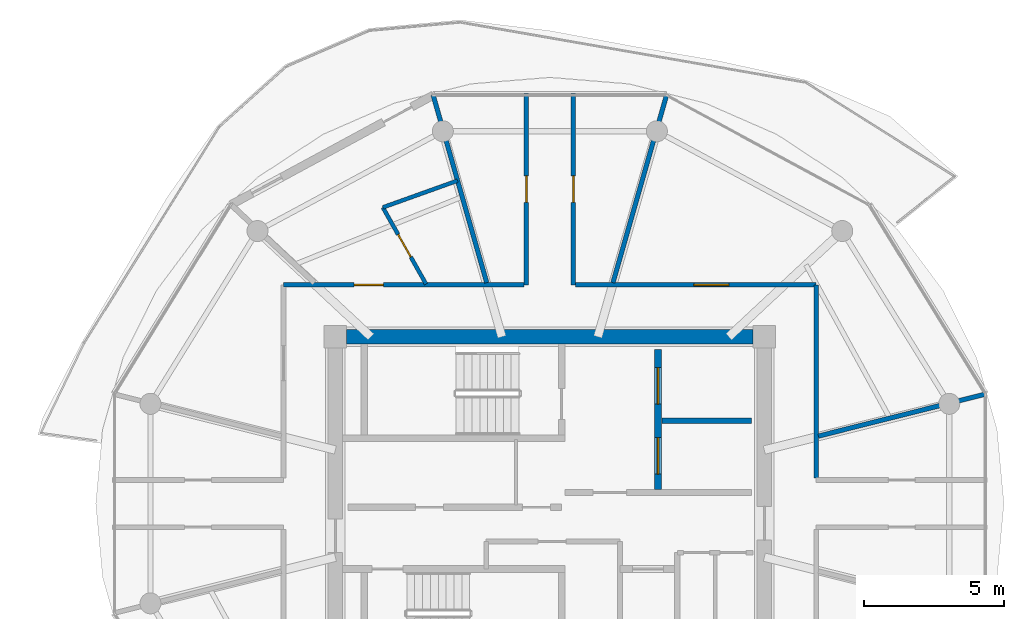
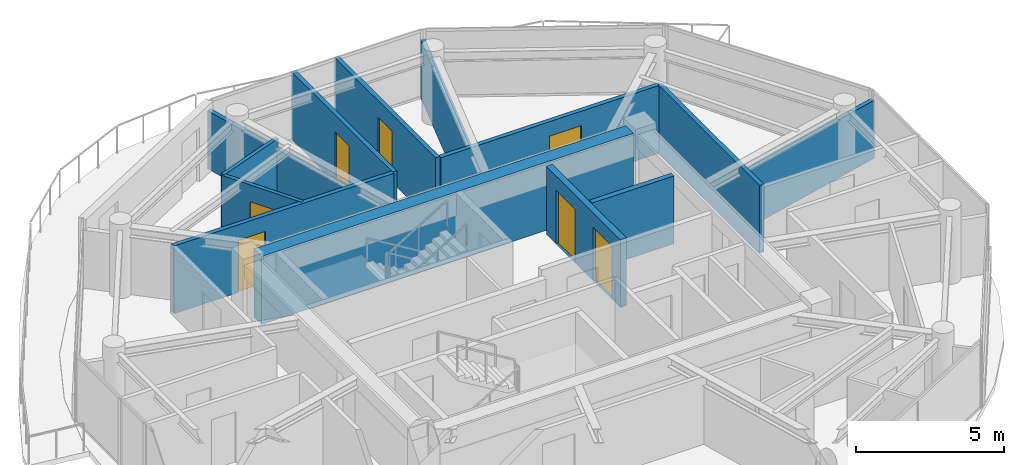
# One storey, part 13 of 19: 13 walls, 7 doors, 7 openings.
"""IFC4 building model written with IfcOpenShell, lengths in metres."""

from ifc_helpers import new_model, si_unit, direction, frame, frame_2d, origin, place, context, subcontext, project, spatial, rectangle, extrude, source, transform, mapped, material, layer, layer_set, type_object, type_shapes, element, fill, save


model = new_model("IFC4")

# Units and contexts
model_context = context("Model", 3, precision=1e-05, world=origin(), true_north=direction((0.0, 1.0)))
body_context = subcontext(model_context, "Body", "Model", "MODEL_VIEW")
ifc_project = project(units=[si_unit("LENGTHUNIT", "METRE"), si_unit("AREAUNIT", "SQUARE_METRE"), si_unit("VOLUMEUNIT", "CUBIC_METRE"), si_unit("PLANEANGLEUNIT", "RADIAN"), si_unit("MASSUNIT", "GRAM", prefix="KILO")], contexts=[model_context])

# Site, building, storey
site_placement = place(None, origin())
site = spatial("IfcSite", under=ifc_project, at=site_placement, CompositionType="ELEMENT")
building_placement = place(site_placement, origin())
building = spatial("IfcBuilding", under=site, at=building_placement, Name="Norrkilde Senior Care Towers", CompositionType="ELEMENT")
storey_placement = place(building_placement, frame((0.0, 0.0, 238.300048828125)))
storey = spatial("IfcBuildingStorey", under=building, at=storey_placement, Name="L74", CompositionType="ELEMENT", Elevation=238.300048828125)

# Wall
ifc_material_1 = material(Name="Concrete C50/60", Category="concrete")
ifc_layer_1 = layer(ifc_material_1, 0.52001953125)
ifc_layer_set_1 = layer_set([ifc_layer_1], Name="Concrete C50/60")
wall_type_1 = type_object("IfcWallType", Name="Core Shear Wall Z4 520", PredefinedType="SHEAR", material=ifc_layer_set_1)
shared_shape_1 = source(origin(), body_context, "Body", "SweptSolid", [
    extrude(rectangle(XDim=14.5, YDim=0.52001953125, at=frame_2d((7.25, 0.0))), origin(), (0.0, 0.0, 1.0), 2.81005859375),
])
type_shapes(wall_type_1, [shared_shape_1])
wall_1_placement = place(storey_placement, frame((20.75, 5.949951171875, 0.0), z_axis=(0.0, 0.0, 1.0), x_axis=(1.0, 0.0, 0.0)))
element("IfcWall", 1, at=wall_1_placement, inside=storey, type_object=wall_type_1, Name="L74 Core E North Shear Wall", PredefinedType="SHEAR", context=body_context, shape_type="MappedRepresentation", body=[
    mapped(shared_shape_1, transform((0.0, 0.0, 0.0), x_axis=(1.0, 0.0, 0.0), y_axis=(0.0, 1.0, 0.0), z_axis=(0.0, 0.0, 1.0), scale=1.0)),
])

# Wall, openings, doors
ifc_material_2 = material(Name="Concrete C45/55", Category="concrete")
ifc_layer_2 = layer(ifc_material_2, 0.239990234375)
ifc_layer_set_2 = layer_set([ifc_layer_2], Name="Concrete C45/55")
wall_type_2 = type_object("IfcWallType", Name="Lift and Plant Rated Enclosure Partition 240", PredefinedType="PARTITIONING", material=ifc_layer_set_2)
shared_shape_2 = source(origin(), body_context, "Body", "SweptSolid", [
    extrude(rectangle(XDim=5.0, YDim=0.239990234375, at=frame_2d((2.5, 0.0))), origin(), (0.0, 0.0, 1.0), 2.794921875),
])
type_shapes(wall_type_2, [shared_shape_2])
wall_2_placement = place(storey_placement, frame((31.860107421875, 0.5, 0.0), z_axis=(0.0, 0.0, 1.0), x_axis=(0.0, 1.0, 0.0)))
wall_2 = element("IfcWall", 2, at=wall_2_placement, inside=storey, type_object=wall_type_2, Name="WL-INT-L74-E-FFLE", PredefinedType="PARTITIONING", context=body_context, shape_type="MappedRepresentation", body=[
    mapped(shared_shape_2, transform((0.0, 0.0, 0.0), x_axis=(1.0, 0.0, 0.0), y_axis=(0.0, 1.0, 0.0), z_axis=(0.0, 0.0, 1.0), scale=1.0)),
])
opening_1_placement = place(wall_2_placement, frame((3.050048828125, 0.0, 0.0)))
opening_1 = element("IfcOpeningElement", 3, at=opening_1_placement, cuts=wall_2, Name="Opening LD-02", PredefinedType="OPENING", context=body_context, shape_type="SweptSolid", body=[
    extrude(rectangle(XDim=1.300048828125, YDim=2.199951171875, at=frame_2d((0.64990234375, 1.10009765625))), frame((0.0, 0.1298828125, 0.0), z_axis=(0.0, -1.0, 0.0), x_axis=(1.0, 0.0, 0.0)), (0.0, 0.0, 1.0), 0.260009765625),
])
opening_2_placement = place(wall_2_placement, frame((0.550048828125, 0.0, 0.0)))
opening_2 = element("IfcOpeningElement", 4, at=opening_2_placement, cuts=wall_2, Name="Opening LD-02", PredefinedType="OPENING", context=body_context, shape_type="SweptSolid", body=[
    extrude(rectangle(XDim=1.300048828125, YDim=2.199951171875, at=frame_2d((0.64990234375, 1.10009765625))), frame((0.0, 0.1298828125, 0.0), z_axis=(0.0, -1.0, 0.0), x_axis=(1.0, 0.0, 0.0)), (0.0, 0.0, 1.0), 0.260009765625),
])
ifc_material_3 = material(Name="Stainless Steel", Category="steel")
door_type_1 = type_object("IfcDoorType", Name="Stretcher and FFL Landing Sliding Door 1300x2200", OperationType="NOTDEFINED", PredefinedType="DOOR", material=ifc_material_3)
shared_shape_3 = source(origin(), body_context, "Body", "SweptSolid", [
    extrude(rectangle(XDim=1.300048828125, YDim=2.199951171875, at=frame_2d((0.64990234375, 1.10009765625))), frame((0.0, 0.02490234375, 0.0), z_axis=(0.0, -1.0, 0.0), x_axis=(1.0, 0.0, 0.0)), (0.0, 0.0, 1.0), 0.050048828125),
])
type_shapes(door_type_1, [shared_shape_3])
door_1_placement = place(opening_1_placement, origin())
door_1 = element("IfcDoor", 5, at=door_1_placement, inside=storey, type_object=door_type_1, Name="L74 Firefighting Lift E1 Landing Door", OperationType="SLIDING_TO_LEFT", OverallHeight=2.199951171875, OverallWidth=1.300048828125, PredefinedType="DOOR", context=body_context, shape_type="MappedRepresentation", body=[
    mapped(shared_shape_3, transform((0.0, 0.0, 0.0), x_axis=(1.0, 0.0, 0.0), y_axis=(0.0, 1.0, 0.0), z_axis=(0.0, 0.0, 1.0), scale=1.0)),
])
fill(opening_1, door_1)
door_2_placement = place(opening_2_placement, origin())
door_2 = element("IfcDoor", 6, at=door_2_placement, inside=storey, type_object=door_type_1, Name="L74 Stretcher Lift E1 Landing Door", OperationType="SLIDING_TO_RIGHT", OverallHeight=2.199951171875, OverallWidth=1.300048828125, PredefinedType="DOOR", context=body_context, shape_type="MappedRepresentation", body=[
    mapped(shared_shape_3, transform((0.0, 0.0, 0.0), x_axis=(1.0, 0.0, 0.0), y_axis=(0.0, 1.0, 0.0), z_axis=(0.0, 0.0, 1.0), scale=1.0)),
])
fill(opening_2, door_2)

# Wall
ifc_layer_3 = layer(ifc_material_2, 0.199951171875)
ifc_layer_set_3 = layer_set([ifc_layer_3], Name="Concrete C45/55")
wall_type_3 = type_object("IfcWallType", Name="Shaft Division and Plant Partition 200", PredefinedType="PARTITIONING", material=ifc_layer_set_3)
shared_shape_4 = source(origin(), body_context, "Body", "SweptSolid", [
    extrude(rectangle(XDim=3.199951171875, YDim=0.199951171875, at=frame_2d((1.60009765625, 0.0))), origin(), (0.0, 0.0, 1.0), 2.794921875),
])
type_shapes(wall_type_3, [shared_shape_4])
wall_3_placement = place(storey_placement, frame((32.0, 2.949951171875, 0.0), z_axis=(0.0, 0.0, 1.0), x_axis=(1.0, 0.0, 0.0)))
element("IfcWall", 7, at=wall_3_placement, inside=storey, type_object=wall_type_3, Name="WL-INT-L74-E-FFLDIV", PredefinedType="PARTITIONING", context=body_context, shape_type="MappedRepresentation", body=[
    mapped(shared_shape_4, transform((0.0, 0.0, 0.0), x_axis=(1.0, 0.0, 0.0), y_axis=(0.0, 1.0, 0.0), z_axis=(0.0, 0.0, 1.0), scale=1.0)),
])

# Wall, opening, door
ifc_material_4 = material(Name="Gypsum Acoustic Board")
ifc_layer_4 = layer(ifc_material_4, 0.1650390625)
ifc_layer_set_4 = layer_set([ifc_layer_4], Name="Gypsum Acoustic Board")
wall_type_4 = type_object("IfcWallType", Name="Corridor Rated Partition 165", PredefinedType="PARTITIONING", material=ifc_layer_set_4)
shared_shape_5 = source(origin(), body_context, "Body", "SweptSolid", [
    extrude(rectangle(XDim=8.580078125, YDim=0.1650390625, at=frame_2d((4.2900390625, 0.0))), origin(), (0.0, 0.0, 1.0), 2.794921875),
])
wall_4_placement = place(storey_placement, frame((18.5, 7.800048828125, 0.0), z_axis=(0.0, 0.0, 1.0), x_axis=(1.0, 0.0, 0.0)))
wall_4 = element("IfcWall", 8, at=wall_4_placement, inside=storey, type_object=wall_type_4, Name="WL-INT-L74-E-CRW-N-0", PredefinedType="PARTITIONING", context=body_context, shape_type="MappedRepresentation", body=[
    mapped(shared_shape_5, transform((0.0, 0.0, 0.0), x_axis=(1.0, 0.0, 0.0), y_axis=(0.0, 1.0, 0.0), z_axis=(0.0, 0.0, 1.0), scale=1.0)),
])
opening_3_placement = place(wall_4_placement, frame((2.5146484375, 0.0, 0.0)))
opening_3 = element("IfcOpeningElement", 9, at=opening_3_placement, cuts=wall_4, Name="Opening D-06", PredefinedType="OPENING", context=body_context, shape_type="SweptSolid", body=[
    extrude(rectangle(XDim=1.050048828125, YDim=2.14990234375, at=frame_2d((0.52490234375, 1.074951171875))), frame((0.0, 0.092529296875, 0.0), z_axis=(0.0, -1.0, 0.0), x_axis=(1.0, 0.0, 0.0)), (0.0, 0.0, 1.0), 0.18505859375),
])
ifc_material_5 = material(Name="Nordic Ash Timber", Category="wood")
door_type_2 = type_object("IfcDoorType", Name="Apartment Entrance Fire Door 1050x2150", OperationType="NOTDEFINED", PredefinedType="DOOR", material=ifc_material_5)
shared_shape_6 = source(origin(), body_context, "Body", "SweptSolid", [
    extrude(rectangle(XDim=1.050048828125, YDim=2.14990234375, at=frame_2d((0.52490234375, 1.074951171875))), frame((0.0, 0.02490234375, 0.0), z_axis=(0.0, -1.0, 0.0), x_axis=(1.0, 0.0, 0.0)), (0.0, 0.0, 1.0), 0.050048828125),
])
type_shapes(door_type_2, [shared_shape_6])
door_3_placement = place(opening_3_placement, frame((1.050048828125, 0.0, 0.0), z_axis=(0.0, 0.0, 1.0), x_axis=(-1.0, 0.0, 0.0)))
door_3 = element("IfcDoor", 10, at=door_3_placement, inside=storey, type_object=door_type_2, Name="L74 Studio 74B Entrance Door", OperationType="SINGLE_SWING_RIGHT", OverallHeight=2.14990234375, OverallWidth=1.050048828125, PredefinedType="DOOR", context=body_context, shape_type="MappedRepresentation", body=[
    mapped(shared_shape_6, transform((0.0, 0.0, 0.0), x_axis=(1.0, 0.0, 0.0), y_axis=(0.0, 1.0, 0.0), z_axis=(0.0, 0.0, 1.0), scale=1.0)),
])
fill(opening_3, door_3)

wall_5_placement = place(storey_placement, frame((28.919921875, 7.800048828125, 0.0), z_axis=(0.0, 0.0, 1.0), x_axis=(1.0, 0.0, 0.0)))
wall_5 = element("IfcWall", 11, at=wall_5_placement, inside=storey, type_object=wall_type_4, Name="WL-INT-L74-E-CRW-N-1", PredefinedType="PARTITIONING", context=body_context, shape_type="MappedRepresentation", body=[
    mapped(shared_shape_5, transform((0.0, 0.0, 0.0), x_axis=(1.0, 0.0, 0.0), y_axis=(0.0, 1.0, 0.0), z_axis=(0.0, 0.0, 1.0), scale=1.0)),
])
opening_4_placement = place(wall_5_placement, frame((4.2197265625, 0.0, 0.0)))
opening_4 = element("IfcOpeningElement", 12, at=opening_4_placement, cuts=wall_5, Name="Opening D-05", PredefinedType="OPENING", context=body_context, shape_type="SweptSolid", body=[
    extrude(rectangle(XDim=1.25, YDim=2.199951171875, at=frame_2d((0.625, 1.10009765625))), frame((0.0, 0.092529296875, 0.0), z_axis=(0.0, -1.0, 0.0), x_axis=(1.0, 0.0, 0.0)), (0.0, 0.0, 1.0), 0.18505859375),
])
door_type_3 = type_object("IfcDoorType", Name="Care Bedroom Bariatric Door 1250x2200", OperationType="NOTDEFINED", PredefinedType="DOOR", material=ifc_material_5)
shared_shape_7 = source(origin(), body_context, "Body", "SweptSolid", [
    extrude(rectangle(XDim=1.25, YDim=2.199951171875, at=frame_2d((0.625, 1.10009765625))), frame((0.0, 0.02490234375, 0.0), z_axis=(0.0, -1.0, 0.0), x_axis=(1.0, 0.0, 0.0)), (0.0, 0.0, 1.0), 0.050048828125),
])
type_shapes(door_type_3, [shared_shape_7])
door_4_placement = place(opening_4_placement, frame((1.25, 0.0, 0.0), z_axis=(0.0, 0.0, 1.0), x_axis=(-1.0, 0.0, 0.0)))
door_4 = element("IfcDoor", 13, at=door_4_placement, inside=storey, type_object=door_type_3, Name="L74 Senior Wellness Library Lounge Door", OperationType="SINGLE_SWING_LEFT", OverallHeight=2.199951171875, OverallWidth=1.25, PredefinedType="DOOR", context=body_context, shape_type="MappedRepresentation", body=[
    mapped(shared_shape_7, transform((0.0, 0.0, 0.0), x_axis=(1.0, 0.0, 0.0), y_axis=(0.0, 1.0, 0.0), z_axis=(0.0, 0.0, 1.0), scale=1.0)),
])
fill(opening_4, door_4)

# Walls
shared_shape_8 = source(origin(), body_context, "Body", "SweptSolid", [
    extrude(rectangle(XDim=6.880126953125, YDim=0.1650390625, at=frame_2d((3.43994140625, 0.0))), origin(), (0.0, 0.0, 1.0), 2.794921875),
])
wall_6_placement = place(storey_placement, frame((37.5, 7.800048828125, 0.0), z_axis=(0.0, 0.0, 1.0), x_axis=(0.0, -1.0, 0.0)))
element("IfcWall", 14, at=wall_6_placement, inside=storey, type_object=wall_type_4, Name="WL-INT-L74-E-CRW-E-0", PredefinedType="PARTITIONING", context=body_context, shape_type="MappedRepresentation", body=[
    mapped(shared_shape_8, transform((0.0, 0.0, 0.0), x_axis=(1.0, 0.0, 0.0), y_axis=(0.0, 1.0, 0.0), z_axis=(0.0, 0.0, 1.0), scale=1.0)),
])
shared_shape_9 = source(origin(), body_context, "Body", "SweptSolid", [
    extrude(rectangle(XDim=6.973876953125, YDim=0.1650390625, at=frame_2d((3.48681640625, 0.0))), origin(), (0.0, 0.0, 1.0), 2.39501953125),
])
for number, where, z_axis, x_axis, name in (
    (15, (30.251220703125, 7.8798828125, 0.0), (0.0, 0.0, 1.0), (0.274707256801, 0.961527910703, 0.0), "WL-INT-L74-E-DEM-02-0"),
    (16, (25.748779296875, 7.8798828125, 0.0), (0.0, 0.0, 1.0), (-0.274707256801, 0.961527910703, 0.0), "WL-INT-L74-E-DEM-03-0"),
):
    element("IfcWall", number, at=place(storey_placement, frame(where, z_axis=z_axis, x_axis=x_axis)), inside=storey, type_object=wall_type_4, Name=name, PredefinedType="PARTITIONING", context=body_context, shape_type="MappedRepresentation", body=[
        mapped(shared_shape_9, transform((0.0, 0.0, 0.0), x_axis=(1.0, 0.0, 0.0), y_axis=(0.0, 1.0, 0.0), z_axis=(0.0, 0.0, 1.0), scale=1.0)),
    ])
shared_shape_10 = source(origin(), body_context, "Body", "SweptSolid", [
    extrude(rectangle(XDim=6.1572265625, YDim=0.1650390625, at=frame_2d((3.07861328125, 0.0))), origin(), (0.0, 0.0, 1.0), 2.39501953125),
])
wall_7_placement = place(storey_placement, frame((37.580078125, 2.407470703125, 0.0), z_axis=(0.0, 0.0, 1.0), x_axis=(0.969840867184, 0.243738984038, 0.0)))
element("IfcWall", 17, at=wall_7_placement, inside=storey, type_object=wall_type_4, Name="WL-INT-L74-E-DEM-00-0", PredefinedType="PARTITIONING", context=body_context, shape_type="MappedRepresentation", body=[
    mapped(shared_shape_10, transform((0.0, 0.0, 0.0), x_axis=(1.0, 0.0, 0.0), y_axis=(0.0, 1.0, 0.0), z_axis=(0.0, 0.0, 1.0), scale=1.0)),
])

# Wall, opening, door
shared_shape_11 = source(origin(), body_context, "Body", "SweptSolid", [
    extrude(rectangle(XDim=6.83544921875, YDim=0.1650390625, at=frame_2d((3.417724609375, 0.0))), origin(), (0.0, 0.0, 1.0), 2.794921875),
])
type_shapes(wall_type_4, [shared_shape_5, shared_shape_8, shared_shape_9, shared_shape_10, shared_shape_11])
wall_8_placement = place(storey_placement, frame((27.159912109375, 7.800048828125, 0.0), z_axis=(0.0, 0.0, 1.0), x_axis=(0.0, 1.0, 0.0)))
wall_8 = element("IfcWall", 18, at=wall_8_placement, inside=storey, type_object=wall_type_4, Name="WL-INT-L74-E-SPK-N1-0", PredefinedType="PARTITIONING", context=body_context, shape_type="MappedRepresentation", body=[
    mapped(shared_shape_11, transform((0.0, 0.0, 0.0), x_axis=(1.0, 0.0, 0.0), y_axis=(0.0, 1.0, 0.0), z_axis=(0.0, 0.0, 1.0), scale=1.0)),
])
opening_5_placement = place(wall_8_placement, frame((2.942626953125, 0.0, 0.0)))
opening_5 = element("IfcOpeningElement", 19, at=opening_5_placement, cuts=wall_8, Name="Opening D-07", PredefinedType="OPENING", context=body_context, shape_type="SweptSolid", body=[
    extrude(rectangle(XDim=0.949951171875, YDim=2.10009765625, at=frame_2d((0.47509765625, 1.050048828125))), frame((0.0, 0.092529296875, 0.0), z_axis=(0.0, -1.0, 0.0), x_axis=(1.0, 0.0, 0.0)), (0.0, 0.0, 1.0), 0.18505859375),
])
door_type_4 = type_object("IfcDoorType", Name="Internal Suite Bedroom Door 950x2100", OperationType="NOTDEFINED", PredefinedType="DOOR", material=ifc_material_5)
shared_shape_12 = source(origin(), body_context, "Body", "SweptSolid", [
    extrude(rectangle(XDim=0.949951171875, YDim=2.10009765625, at=frame_2d((0.47509765625, 1.050048828125))), frame((0.0, 0.02490234375, 0.0), z_axis=(0.0, -1.0, 0.0), x_axis=(1.0, 0.0, 0.0)), (0.0, 0.0, 1.0), 0.050048828125),
])
type_shapes(door_type_4, [shared_shape_12])
door_5_placement = place(opening_5_placement, frame((0.949951171875, 0.0, 0.0), z_axis=(0.0, 0.0, 1.0), x_axis=(-1.0, 0.0, 0.0)))
door_5 = element("IfcDoor", 20, at=door_5_placement, inside=storey, type_object=door_type_4, Name="L74 Sun Reading Lounge 3 Door", OperationType="SINGLE_SWING_RIGHT", OverallHeight=2.10009765625, OverallWidth=0.949951171875, PredefinedType="DOOR", context=body_context, shape_type="MappedRepresentation", body=[
    mapped(shared_shape_12, transform((0.0, 0.0, 0.0), x_axis=(1.0, 0.0, 0.0), y_axis=(0.0, 1.0, 0.0), z_axis=(0.0, 0.0, 1.0), scale=1.0)),
])
fill(opening_5, door_5)

wall_9_placement = place(storey_placement, frame((28.840087890625, 14.635498046875, 0.0), z_axis=(0.0, 0.0, 1.0), x_axis=(0.0, -1.0, 0.0)))
wall_9 = element("IfcWall", 21, at=wall_9_placement, inside=storey, type_object=wall_type_4, Name="WL-INT-L74-E-SPK-N2-0", PredefinedType="PARTITIONING", context=body_context, shape_type="MappedRepresentation", body=[
    mapped(shared_shape_11, transform((0.0, 0.0, 0.0), x_axis=(1.0, 0.0, 0.0), y_axis=(0.0, 1.0, 0.0), z_axis=(0.0, 0.0, 1.0), scale=1.0)),
])
opening_6_placement = place(wall_9_placement, frame((2.942626953125, 0.0, 0.0)))
opening_6 = element("IfcOpeningElement", 22, at=opening_6_placement, cuts=wall_9, Name="Opening D-07", PredefinedType="OPENING", context=body_context, shape_type="SweptSolid", body=[
    extrude(rectangle(XDim=0.949951171875, YDim=2.10009765625, at=frame_2d((0.47509765625, 1.050048828125))), frame((0.0, 0.092529296875, 0.0), z_axis=(0.0, -1.0, 0.0), x_axis=(1.0, 0.0, 0.0)), (0.0, 0.0, 1.0), 0.18505859375),
])
door_6_placement = place(opening_6_placement, frame((0.949951171875, 0.0, 0.0), z_axis=(0.0, 0.0, 1.0), x_axis=(-1.0, 0.0, 0.0)))
door_6 = element("IfcDoor", 23, at=door_6_placement, inside=storey, type_object=door_type_4, Name="L74 Sun Reading Lounge 4 Door", OperationType="SINGLE_SWING_LEFT", OverallHeight=2.10009765625, OverallWidth=0.949951171875, PredefinedType="DOOR", context=body_context, shape_type="MappedRepresentation", body=[
    mapped(shared_shape_12, transform((0.0, 0.0, 0.0), x_axis=(1.0, 0.0, 0.0), y_axis=(0.0, 1.0, 0.0), z_axis=(0.0, 0.0, 1.0), scale=1.0)),
])
fill(opening_6, door_6)

ifc_layer_5 = layer(ifc_material_4, 0.139892578125)
ifc_layer_set_5 = layer_set([ifc_layer_5], Name="Gypsum Acoustic Board")
wall_type_5 = type_object("IfcWallType", Name="En-suite Wet Room Wall 140", PredefinedType="PARTITIONING", material=ifc_layer_set_5)
shared_shape_13 = source(origin(), body_context, "Body", "SweptSolid", [
    extrude(rectangle(XDim=3.14013671875, YDim=0.139892578125, at=frame_2d((1.570068359375, 0.0))), origin(), (0.0, 0.0, 1.0), 2.794921875),
])
wall_10_placement = place(storey_placement, frame((23.5849609375, 7.830078125, 0.0), z_axis=(0.0, 0.0, 1.0), x_axis=(-0.491132137966, 0.871085083707, 0.0)))
wall_10 = element("IfcWall", 24, at=wall_10_placement, inside=storey, type_object=wall_type_5, Name="WL-INT-L74-E-ES-03", PredefinedType="PARTITIONING", context=body_context, shape_type="MappedRepresentation", body=[
    mapped(shared_shape_13, transform((0.0, 0.0, 0.0), x_axis=(1.0, 0.0, 0.0), y_axis=(0.0, 1.0, 0.0), z_axis=(0.0, 0.0, 1.0), scale=1.0)),
])
opening_7_placement = place(wall_10_placement, frame((1.110107421875, 0.0, 0.0)))
opening_7 = element("IfcOpeningElement", 25, at=opening_7_placement, cuts=wall_10, Name="Opening D-08", PredefinedType="OPENING", context=body_context, shape_type="SweptSolid", body=[
    extrude(rectangle(XDim=0.919921875, YDim=2.10009765625, at=frame_2d((0.4599609375, 1.050048828125))), frame((0.0, 0.079833984375, 0.0), z_axis=(0.0, -1.0, 0.0), x_axis=(1.0, 0.0, 0.0)), (0.0, 0.0, 1.0), 0.159912109375),
])
door_type_5 = type_object("IfcDoorType", Name="Accessible Wet Room Door 920x2100", OperationType="NOTDEFINED", PredefinedType="DOOR", material=ifc_material_5)
shared_shape_14 = source(origin(), body_context, "Body", "SweptSolid", [
    extrude(rectangle(XDim=0.919921875, YDim=2.10009765625, at=frame_2d((0.4599609375, 1.050048828125))), frame((0.0, 0.02490234375, 0.0), z_axis=(0.0, -1.0, 0.0), x_axis=(1.0, 0.0, 0.0)), (0.0, 0.0, 1.0), 0.050048828125),
])
type_shapes(door_type_5, [shared_shape_14])
door_7_placement = place(opening_7_placement, origin())
door_7 = element("IfcDoor", 26, at=door_7_placement, inside=storey, type_object=door_type_5, Name="L74 Studio 74B Bathroom Door", OperationType="SINGLE_SWING_LEFT", OverallHeight=2.10009765625, OverallWidth=0.919921875, PredefinedType="DOOR", context=body_context, shape_type="MappedRepresentation", body=[
    mapped(shared_shape_14, transform((0.0, 0.0, 0.0), x_axis=(1.0, 0.0, 0.0), y_axis=(0.0, 1.0, 0.0), z_axis=(0.0, 0.0, 1.0), scale=1.0)),
])
fill(opening_7, door_7)

# Wall
shared_shape_15 = source(origin(), body_context, "Body", "SweptSolid", [
    extrude(rectangle(XDim=2.8310546875, YDim=0.139892578125, at=frame_2d((1.41552734375, 0.0))), origin(), (0.0, 0.0, 1.0), 2.794921875),
])
type_shapes(wall_type_5, [shared_shape_13, shared_shape_15])
wall_11_placement = place(storey_placement, frame((22.042724609375, 10.5654296875, 0.0), z_axis=(0.0, 0.0, 1.0), x_axis=(0.941411742535, 0.337259441701, 0.0)))
element("IfcWall", 27, at=wall_11_placement, inside=storey, type_object=wall_type_5, Name="WL-INT-L74-E-EF-03", PredefinedType="PARTITIONING", context=body_context, shape_type="MappedRepresentation", body=[
    mapped(shared_shape_15, transform((0.0, 0.0, 0.0), x_axis=(1.0, 0.0, 0.0), y_axis=(0.0, 1.0, 0.0), z_axis=(0.0, 0.0, 1.0), scale=1.0)),
])

save(model, "model.ifc")
